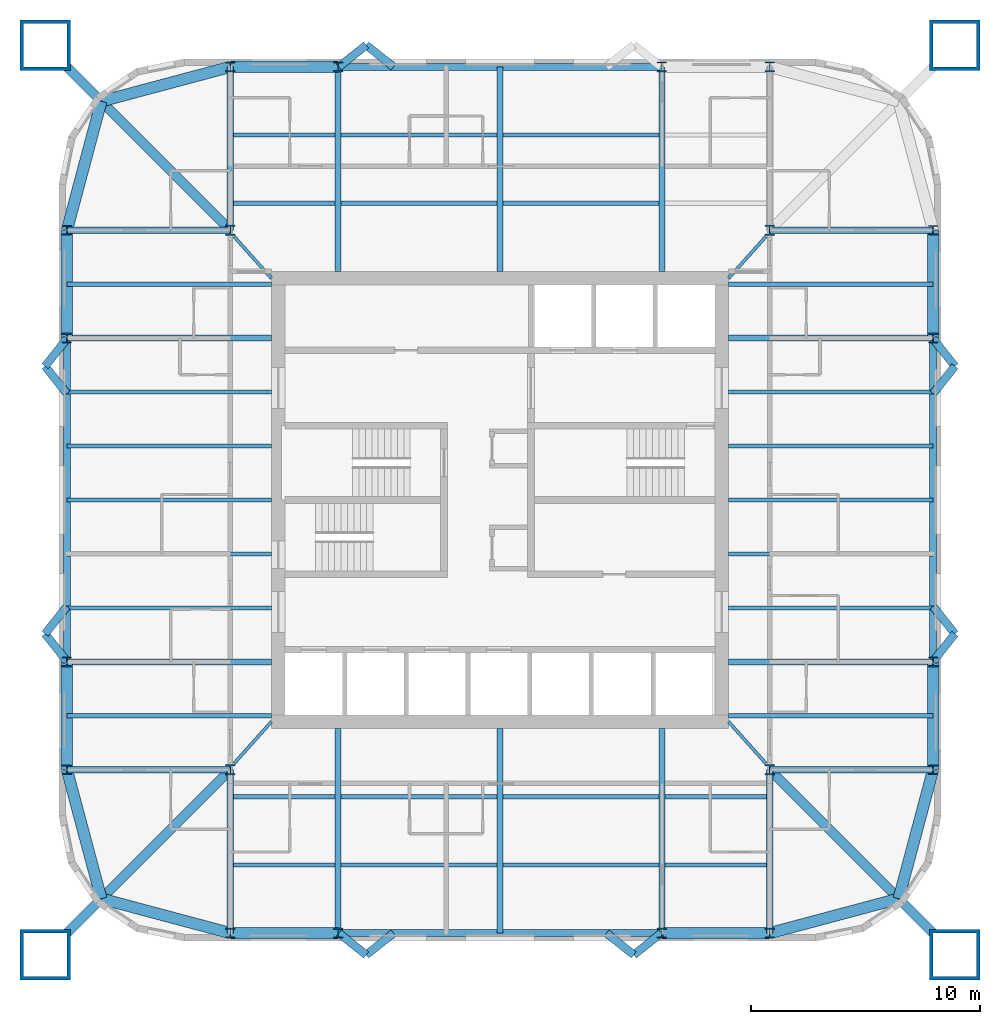
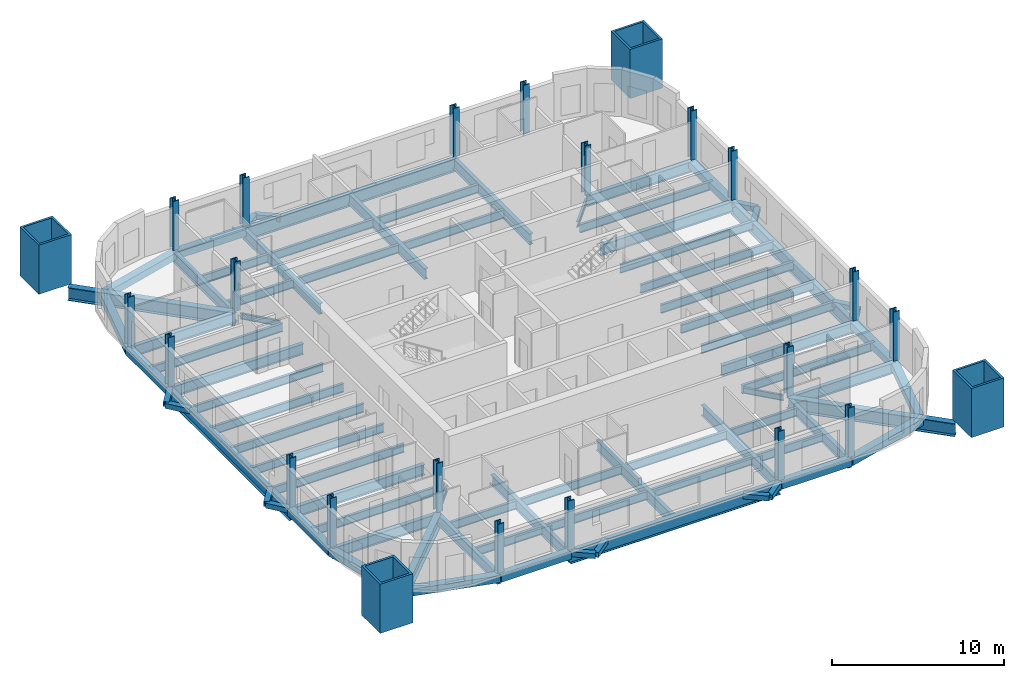
# One storey, part 1 of 9: 83 beams, 24 columns.
"""IFC4 building model written with IfcOpenShell, lengths in metres."""

from ifc_helpers import new_model, si_unit, direction, frame, origin, origin_2d, place, context, subcontext, project, spatial, hollow_rectangle, i_section, extrude, material, material_profile, profile_set, type_object, element, save


model = new_model("IFC4")

# Units and contexts
model_context = context("Model", 3, precision=1e-05, world=origin(), true_north=direction((0.0, 1.0)))
body_context = subcontext(model_context, "Body", "Model", "MODEL_VIEW")
ifc_project = project(units=[si_unit("LENGTHUNIT", "METRE"), si_unit("AREAUNIT", "SQUARE_METRE"), si_unit("VOLUMEUNIT", "CUBIC_METRE"), si_unit("PLANEANGLEUNIT", "RADIAN"), si_unit("MASSUNIT", "GRAM", prefix="KILO")], contexts=[model_context])

# Site, building, storey
site_placement = place(None, origin())
site = spatial("IfcSite", under=ifc_project, at=site_placement, CompositionType="ELEMENT")
building_placement = place(site_placement, origin())
building = spatial("IfcBuilding", under=site, at=building_placement, Name="Turquesa Mirador Hotel Tower", CompositionType="ELEMENT")
storey_placement = place(building_placement, frame((0.0, 0.0, 200.300048828125)))
storey = spatial("IfcBuildingStorey", under=building, at=storey_placement, Name="L54", CompositionType="ELEMENT", Elevation=200.300048828125)

# Columns
ifc_material_1 = material(Name="Steel ASTM A992 Grade 50", Category="steel")
ifc_material_profile_1 = material_profile(ifc_material_1, i_section(OverallWidth=0.411376953125, OverallDepth=0.434326171875, WebThickness=0.035888671875, FlangeThickness=0.057373046875, at=origin_2d()), Name="W14X311")
ifc_profile_set_1 = profile_set([ifc_material_profile_1], Name="Steel ASTM A992 Grade 50")
column_type_1 = type_object("IfcColumnType", Name="COLUMN W14X311", PredefinedType="COLUMN", material=ifc_profile_set_1)
for number, where, z_axis, x_axis, name in (
    (1, (36.050048828125, 33.199951171875, 0.0), (0.0, 0.0, 1.0), (1.0, 0.0, 0.0), "COL-L54-P--18.95--11.80"),
    (2, (36.050048828125, 37.919921875, 0.0), (0.0, 0.0, 1.0), (1.0, 0.0, 0.0), "COL-L54-P--18.95--7.08"),
    (3, (36.050048828125, 52.080078125, 0.0), (0.0, 0.0, 1.0), (1.0, 0.0, 0.0), "COL-L54-P--18.95-+7.08"),
    (4, (36.050048828125, 56.800048828125, 0.0), (0.0, 0.0, 1.0), (1.0, 0.0, 0.0), "COL-L54-P--18.95-+11.80"),
    (5, (43.199951171875, 26.050048828125, 0.0), (0.0, 0.0, 1.0), (1.0, 0.0, 0.0), "COL-L54-P--11.80--18.95"),
    (6, (43.199951171875, 63.949951171875, 0.0), (0.0, 0.0, 1.0), (1.0, 0.0, 0.0), "COL-L54-P--11.80-+18.95"),
    (7, (47.919921875, 26.050048828125, 0.0), (0.0, 0.0, 1.0), (1.0, 0.0, 0.0), "COL-L54-P--7.08--18.95"),
    (8, (47.919921875, 63.949951171875, 0.0), (0.0, 0.0, 1.0), (1.0, 0.0, 0.0), "COL-L54-P--7.08-+18.95"),
    (9, (62.080078125, 26.050048828125, 0.0), (0.0, 0.0, 1.0), (1.0, 0.0, 0.0), "COL-L54-P-+7.08--18.95"),
    (10, (62.080078125, 63.949951171875, 0.0), (0.0, 0.0, 1.0), (1.0, 0.0, 0.0), "COL-L54-P-+7.08-+18.95"),
    (11, (66.800048828125, 26.050048828125, 0.0), (0.0, 0.0, 1.0), (1.0, 0.0, 0.0), "COL-L54-P-+11.80--18.95"),
    (12, (66.800048828125, 63.949951171875, 0.0), (0.0, 0.0, 1.0), (1.0, 0.0, 0.0), "COL-L54-P-+11.80-+18.95"),
    (13, (73.949951171875, 33.199951171875, 0.0), (0.0, 0.0, 1.0), (1.0, 0.0, 0.0), "COL-L54-P-+18.95--11.80"),
    (14, (73.949951171875, 37.919921875, 0.0), (0.0, 0.0, 1.0), (1.0, 0.0, 0.0), "COL-L54-P-+18.95--7.08"),
    (15, (73.949951171875, 52.080078125, 0.0), (0.0, 0.0, 1.0), (1.0, 0.0, 0.0), "COL-L54-P-+18.95-+7.08"),
    (16, (73.949951171875, 56.800048828125, 0.0), (0.0, 0.0, 1.0), (1.0, 0.0, 0.0), "COL-L54-P-+18.95-+11.80"),
):
    element("IfcColumn", number, at=place(storey_placement, frame(where, z_axis=z_axis, x_axis=x_axis)), inside=storey, type_object=column_type_1, Name=name, PredefinedType="COLUMN", context=body_context, shape_type="SweptSolid", body=[
        extrude(i_section(OverallWidth=0.411376953125, OverallDepth=0.434326171875, WebThickness=0.035888671875, FlangeThickness=0.057373046875, at=origin_2d()), origin(), (0.0, 0.0, 1.0), 3.5),
    ])
ifc_material_2 = material(Name="Steel ASTM A992 Grade 50", Category="steel")
ifc_material_profile_2 = material_profile(ifc_material_2, i_section(OverallWidth=0.421630859375, OverallDepth=0.46484375, WebThickness=0.044921875, FlangeThickness=0.072509765625, at=origin_2d()), Name="W14X398")
ifc_profile_set_2 = profile_set([ifc_material_profile_2], Name="Steel ASTM A992 Grade 50")
column_type_2 = type_object("IfcColumnType", Name="COLUMN W14X398", PredefinedType="COLUMN", material=ifc_profile_set_2)
for number, where, z_axis, x_axis, name in (
    (17, (43.199951171875, 33.199951171875, 0.0), (0.0, 0.0, 1.0), (1.0, 0.0, 0.0), "COL-L54-K--11.80--11.80"),
    (18, (43.199951171875, 56.800048828125, 0.0), (0.0, 0.0, 1.0), (1.0, 0.0, 0.0), "COL-L54-K--11.80-+11.80"),
    (19, (66.800048828125, 33.199951171875, 0.0), (0.0, 0.0, 1.0), (1.0, 0.0, 0.0), "COL-L54-K-+11.80--11.80"),
    (20, (66.800048828125, 56.800048828125, 0.0), (0.0, 0.0, 1.0), (1.0, 0.0, 0.0), "COL-L54-K-+11.80-+11.80"),
):
    element("IfcColumn", number, at=place(storey_placement, frame(where, z_axis=z_axis, x_axis=x_axis)), inside=storey, type_object=column_type_2, Name=name, PredefinedType="COLUMN", context=body_context, shape_type="SweptSolid", body=[
        extrude(i_section(OverallWidth=0.421630859375, OverallDepth=0.46484375, WebThickness=0.044921875, FlangeThickness=0.072509765625, at=origin_2d()), origin(), (0.0, 0.0, 1.0), 3.5),
    ])
ifc_material_3 = material(Name="Steel ASTM A514 Grade Q", Category="steel")
ifc_material_profile_3 = material_profile(ifc_material_3, hollow_rectangle(XDim=2.199951171875, YDim=2.199951171875, WallThickness=0.14990234375, at=origin_2d()), Name="BOX2200X2200X150")
ifc_profile_set_3 = profile_set([ifc_material_profile_3], Name="Steel ASTM A514 Grade Q")
column_type_3 = type_object("IfcColumnType", Name="MEGA COLUMN BOX2200X2200X150", PredefinedType="COLUMN", material=ifc_profile_set_3)
for number, where, z_axis, x_axis, name in (
    (21, (74.89990234375, 64.89990234375, 0.0), (0.0, 0.0, 1.0), (1.0, 0.0, 0.0), "Mega column M1"),
    (22, (35.10009765625, 64.89990234375, 0.0), (0.0, 0.0, 1.0), (1.0, 0.0, 0.0), "Mega column M2"),
    (23, (35.10009765625, 25.10009765625, 0.0), (0.0, 0.0, 1.0), (1.0, 0.0, 0.0), "Mega column M3"),
    (24, (74.89990234375, 25.10009765625, 0.0), (0.0, 0.0, 1.0), (1.0, 0.0, 0.0), "Mega column M4"),
):
    element("IfcColumn", number, at=place(storey_placement, frame(where, z_axis=z_axis, x_axis=x_axis)), inside=storey, type_object=column_type_3, Name=name, PredefinedType="COLUMN", context=body_context, shape_type="SweptSolid", body=[
        extrude(hollow_rectangle(XDim=2.199951171875, YDim=2.199951171875, WallThickness=0.14990234375, at=origin_2d()), origin(), (0.0, 0.0, 1.0), 3.5),
    ])

# Beams
ifc_material_4 = material(Name="Steel ASTM A572 Grade 50", Category="steel")
ifc_material_profile_4 = material_profile(ifc_material_4, hollow_rectangle(XDim=0.5, YDim=0.5, WallThickness=0.01611328125, at=origin_2d()), Name="BOX500X500X16")
ifc_profile_set_4 = profile_set([ifc_material_profile_4], Name="Steel ASTM A572 Grade 50")
beam_type_1 = type_object("IfcBeamType", Name="BEAM BOX500X500X16", PredefinedType="BEAM", material=ifc_profile_set_4)
for number, where, z_axis, x_axis, name in (
    (25, (43.199951171875, 63.949951171875, -0.420166015625), (1.0, 0.0, 0.0), (0.0, 1.0, 0.0), "EB-L54-N-L"),
    (26, (43.199951171875, 26.050048828125, -0.420166015625), (1.0, 0.0, 0.0), (0.0, 1.0, 0.0), "EB-L54-S-L"),
    (27, (62.080078125, 26.050048828125, -0.420166015625), (1.0, 0.0, 0.0), (0.0, 1.0, 0.0), "EB-L54-S-R"),
    (28, (73.949951171875, 33.199951171875, -0.420166015625), (0.0, 1.0, 0.0), (-1.0, 0.0, 0.0), "EB-L54-E-L"),
    (29, (73.949951171875, 52.080078125, -0.420166015625), (0.0, 1.0, 0.0), (-1.0, 0.0, 0.0), "EB-L54-E-R"),
    (30, (36.050048828125, 33.199951171875, -0.420166015625), (0.0, 1.0, 0.0), (-1.0, 0.0, 0.0), "EB-L54-W-L"),
    (31, (36.050048828125, 52.080078125, -0.420166015625), (0.0, 1.0, 0.0), (-1.0, 0.0, 0.0), "EB-L54-W-R"),
):
    element("IfcBeam", number, at=place(storey_placement, frame(where, z_axis=z_axis, x_axis=x_axis)), inside=storey, type_object=beam_type_1, Name=name, PredefinedType="BEAM", context=body_context, shape_type="SweptSolid", body=[
        extrude(hollow_rectangle(XDim=0.5, YDim=0.5, WallThickness=0.01611328125, at=origin_2d()), origin(), (0.0, 0.0, 1.0), 4.719970703125),
    ])
for number, where, z_axis, x_axis, name in (
    (32, (36.050048828125, 56.800048828125, -0.420166015625), (0.258281892145, 0.966069595935, 0.0), (-0.966069595935, 0.258281892145, 0.0), "KE-L54-2-0"),
    (33, (37.558349609375, 62.441650390625, -0.420166015625), (0.966069595935, 0.258281892145, 0.0), (-0.258281892145, 0.966069595935, 0.0), "KE-L54-2-1"),
    (34, (36.050048828125, 33.199951171875, -0.420166015625), (0.258281892145, -0.966069595935, 0.0), (0.966069595935, 0.258281892145, 0.0), "KE-L54-3-0"),
    (35, (37.558349609375, 27.558349609375, -0.420166015625), (0.966069595935, -0.258281892145, 0.0), (0.258281892145, 0.966069595935, 0.0), "KE-L54-3-1"),
    (36, (73.949951171875, 33.199951171875, -0.420166015625), (-0.258281892145, -0.966069595935, 0.0), (0.966069595935, -0.258281892145, 0.0), "KE-L54-4-0"),
    (37, (72.441650390625, 27.558349609375, -0.420166015625), (-0.966069595935, -0.258281892145, 0.0), (0.258281892145, -0.966069595935, 0.0), "KE-L54-4-1"),
):
    element("IfcBeam", number, at=place(storey_placement, frame(where, z_axis=z_axis, x_axis=x_axis)), inside=storey, type_object=beam_type_1, Name=name, PredefinedType="BEAM", context=body_context, shape_type="SweptSolid", body=[
        extrude(hollow_rectangle(XDim=0.5, YDim=0.5, WallThickness=0.01611328125, at=origin_2d()), origin(), (0.0, 0.0, 1.0), 5.83984375),
    ])
ifc_material_5 = material(Name="Steel ASTM A992 Grade 50", Category="steel")
ifc_material_profile_5 = material_profile(ifc_material_5, i_section(OverallWidth=0.140380859375, OverallDepth=0.40380859375, WebThickness=0.007080078125, FlangeThickness=0.01123046875, at=origin_2d()), Name="W16X31")
ifc_profile_set_5 = profile_set([ifc_material_profile_5], Name="Steel ASTM A992 Grade 50")
beam_type_2 = type_object("IfcBeamType", Name="BEAM W16X31", PredefinedType="BEAM", material=ifc_profile_set_5)
for number, where, z_axis, x_axis, name in (
    (38, (66.634765625, 56.527099609375, -0.3720703125), (-0.666783216266, -0.745251730964, 0.0), (0.745251730964, -0.666783216266, 0.0), "KT-L54-1"),
    (39, (43.365234375, 56.527099609375, -0.3720703125), (0.666783216266, -0.745251730964, 0.0), (0.745251730964, 0.666783216266, 0.0), "KT-L54-2"),
    (40, (43.365234375, 33.472900390625, -0.3720703125), (0.666783216266, 0.745251730964, 0.0), (-0.745251730964, 0.666783216266, 0.0), "KT-L54-3"),
    (41, (66.634765625, 33.472900390625, -0.3720703125), (-0.666783216266, 0.745251730964, 0.0), (-0.745251730964, -0.666783216266, 0.0), "KT-L54-4"),
):
    element("IfcBeam", number, at=place(storey_placement, frame(where, z_axis=z_axis, x_axis=x_axis)), inside=storey, type_object=beam_type_2, Name=name, PredefinedType="BEAM", context=body_context, shape_type="SweptSolid", body=[
        extrude(i_section(OverallWidth=0.140380859375, OverallDepth=0.40380859375, WebThickness=0.007080078125, FlangeThickness=0.01123046875, at=origin_2d()), origin(), (0.0, 0.0, 1.0), 2.45166015625),
    ])
ifc_material_6 = material(Name="Steel ASTM A992 Grade 50", Category="steel")
ifc_material_profile_6 = material_profile(ifc_material_6, i_section(OverallWidth=0.177978515625, OverallDepth=0.599365234375, WebThickness=0.010009765625, FlangeThickness=0.012939453125, at=origin_2d()), Name="W24X55")
ifc_profile_set_6 = profile_set([ifc_material_profile_6], Name="Steel ASTM A992 Grade 50")
beam_type_3 = type_object("IfcBeamType", Name="BEAM W24X55", PredefinedType="BEAM", material=ifc_profile_set_6)
beam_1_placement = place(storey_placement, frame((43.333251953125, 57.98291015625, -0.4697265625), z_axis=(1.0, 0.0, 0.0), x_axis=(0.0, 1.0, 0.0)))
element("IfcBeam", 42, at=beam_1_placement, inside=storey, type_object=beam_type_3, Name="IB-L54-N-1-0", PredefinedType="BEAM", context=body_context, shape_type="SweptSolid", body=[
    extrude(i_section(OverallWidth=0.177978515625, OverallDepth=0.599365234375, WebThickness=0.010009765625, FlangeThickness=0.012939453125, at=origin_2d()), origin(), (0.0, 0.0, 1.0), 4.453369140625),
])
for number, where, z_axis, x_axis, name in (
    (43, (48.053466796875, 57.98291015625, -0.4697265625), (1.0, 0.0, 0.0), (0.0, 1.0, 0.0), "IB-L54-N-1-1"),
    (44, (55.13330078125, 57.98291015625, -0.4697265625), (1.0, 0.0, 0.0), (0.0, 1.0, 0.0), "IB-L54-N-1-2"),
):
    element("IfcBeam", number, at=place(storey_placement, frame(where, z_axis=z_axis, x_axis=x_axis)), inside=storey, type_object=beam_type_3, Name=name, PredefinedType="BEAM", context=body_context, shape_type="SweptSolid", body=[
        extrude(i_section(OverallWidth=0.177978515625, OverallDepth=0.599365234375, WebThickness=0.010009765625, FlangeThickness=0.012939453125, at=origin_2d()), origin(), (0.0, 0.0, 1.0), 6.813232421875),
    ])
beam_2_placement = place(storey_placement, frame((43.333251953125, 60.967041015625, -0.4697265625), z_axis=(1.0, 0.0, 0.0), x_axis=(0.0, 1.0, 0.0)))
element("IfcBeam", 45, at=beam_2_placement, inside=storey, type_object=beam_type_3, Name="IB-L54-N-2-0", PredefinedType="BEAM", context=body_context, shape_type="SweptSolid", body=[
    extrude(i_section(OverallWidth=0.177978515625, OverallDepth=0.599365234375, WebThickness=0.010009765625, FlangeThickness=0.012939453125, at=origin_2d()), origin(), (0.0, 0.0, 1.0), 4.453369140625),
])
for number, where, z_axis, x_axis, name in (
    (46, (48.053466796875, 60.967041015625, -0.4697265625), (1.0, 0.0, 0.0), (0.0, 1.0, 0.0), "IB-L54-N-2-1"),
    (47, (55.13330078125, 60.967041015625, -0.4697265625), (1.0, 0.0, 0.0), (0.0, 1.0, 0.0), "IB-L54-N-2-2"),
):
    element("IfcBeam", number, at=place(storey_placement, frame(where, z_axis=z_axis, x_axis=x_axis)), inside=storey, type_object=beam_type_3, Name=name, PredefinedType="BEAM", context=body_context, shape_type="SweptSolid", body=[
        extrude(i_section(OverallWidth=0.177978515625, OverallDepth=0.599365234375, WebThickness=0.010009765625, FlangeThickness=0.012939453125, at=origin_2d()), origin(), (0.0, 0.0, 1.0), 6.813232421875),
    ])
beam_3_placement = place(storey_placement, frame((43.333251953125, 32.01708984375, -0.4697265625), z_axis=(1.0, 0.0, 0.0), x_axis=(0.0, 1.0, 0.0)))
element("IfcBeam", 48, at=beam_3_placement, inside=storey, type_object=beam_type_3, Name="IB-L54-S-1-0", PredefinedType="BEAM", context=body_context, shape_type="SweptSolid", body=[
    extrude(i_section(OverallWidth=0.177978515625, OverallDepth=0.599365234375, WebThickness=0.010009765625, FlangeThickness=0.012939453125, at=origin_2d()), origin(), (0.0, 0.0, 1.0), 4.453369140625),
])
for number, where, z_axis, x_axis, name in (
    (49, (48.053466796875, 32.01708984375, -0.4697265625), (1.0, 0.0, 0.0), (0.0, 1.0, 0.0), "IB-L54-S-1-1"),
    (50, (55.13330078125, 32.01708984375, -0.4697265625), (1.0, 0.0, 0.0), (0.0, 1.0, 0.0), "IB-L54-S-1-2"),
):
    element("IfcBeam", number, at=place(storey_placement, frame(where, z_axis=z_axis, x_axis=x_axis)), inside=storey, type_object=beam_type_3, Name=name, PredefinedType="BEAM", context=body_context, shape_type="SweptSolid", body=[
        extrude(i_section(OverallWidth=0.177978515625, OverallDepth=0.599365234375, WebThickness=0.010009765625, FlangeThickness=0.012939453125, at=origin_2d()), origin(), (0.0, 0.0, 1.0), 6.813232421875),
    ])
for number, where, z_axis, x_axis, name in (
    (51, (62.21337890625, 32.01708984375, -0.4697265625), (1.0, 0.0, 0.0), (0.0, 1.0, 0.0), "IB-L54-S-1-3"),
    (52, (43.333251953125, 29.032958984375, -0.4697265625), (1.0, 0.0, 0.0), (0.0, 1.0, 0.0), "IB-L54-S-2-0"),
):
    element("IfcBeam", number, at=place(storey_placement, frame(where, z_axis=z_axis, x_axis=x_axis)), inside=storey, type_object=beam_type_3, Name=name, PredefinedType="BEAM", context=body_context, shape_type="SweptSolid", body=[
        extrude(i_section(OverallWidth=0.177978515625, OverallDepth=0.599365234375, WebThickness=0.010009765625, FlangeThickness=0.012939453125, at=origin_2d()), origin(), (0.0, 0.0, 1.0), 4.453369140625),
    ])
for number, where, z_axis, x_axis, name in (
    (53, (48.053466796875, 29.032958984375, -0.4697265625), (1.0, 0.0, 0.0), (0.0, 1.0, 0.0), "IB-L54-S-2-1"),
    (54, (55.13330078125, 29.032958984375, -0.4697265625), (1.0, 0.0, 0.0), (0.0, 1.0, 0.0), "IB-L54-S-2-2"),
):
    element("IfcBeam", number, at=place(storey_placement, frame(where, z_axis=z_axis, x_axis=x_axis)), inside=storey, type_object=beam_type_3, Name=name, PredefinedType="BEAM", context=body_context, shape_type="SweptSolid", body=[
        extrude(i_section(OverallWidth=0.177978515625, OverallDepth=0.599365234375, WebThickness=0.010009765625, FlangeThickness=0.012939453125, at=origin_2d()), origin(), (0.0, 0.0, 1.0), 6.813232421875),
    ])
beam_4_placement = place(storey_placement, frame((62.21337890625, 29.032958984375, -0.4697265625), z_axis=(1.0, 0.0, 0.0), x_axis=(0.0, 1.0, 0.0)))
element("IfcBeam", 55, at=beam_4_placement, inside=storey, type_object=beam_type_3, Name="IB-L54-S-2-3", PredefinedType="BEAM", context=body_context, shape_type="SweptSolid", body=[
    extrude(i_section(OverallWidth=0.177978515625, OverallDepth=0.599365234375, WebThickness=0.010009765625, FlangeThickness=0.012939453125, at=origin_2d()), origin(), (0.0, 0.0, 1.0), 4.453369140625),
])
for number, where, z_axis, x_axis, name in (
    (56, (73.949951171875, 35.56005859375, -0.4697265625), (-1.0, 0.0, 0.0), (0.0, -1.0, 0.0), "BM-L54-E--9.44"),
    (57, (73.949951171875, 40.280029296875, -0.4697265625), (-1.0, 0.0, 0.0), (0.0, -1.0, 0.0), "BM-L54-E--4.72"),
    (58, (73.949951171875, 42.639892578125, -0.4697265625), (-1.0, 0.0, 0.0), (0.0, -1.0, 0.0), "BM-L54-E--2.36"),
    (59, (73.949951171875, 45.0, -0.4697265625), (-1.0, 0.0, 0.0), (0.0, -1.0, 0.0), "BM-L54-E-+0.00"),
    (60, (73.949951171875, 47.360107421875, -0.4697265625), (-1.0, 0.0, 0.0), (0.0, -1.0, 0.0), "BM-L54-E-+2.36"),
    (61, (73.949951171875, 49.719970703125, -0.4697265625), (-1.0, 0.0, 0.0), (0.0, -1.0, 0.0), "BM-L54-E-+4.72"),
    (62, (73.949951171875, 54.43994140625, -0.4697265625), (-1.0, 0.0, 0.0), (0.0, -1.0, 0.0), "BM-L54-E-+9.44"),
    (63, (36.050048828125, 35.56005859375, -0.4697265625), (1.0, 0.0, 0.0), (0.0, 1.0, 0.0), "BM-L54-W--9.44"),
    (64, (36.050048828125, 40.280029296875, -0.4697265625), (1.0, 0.0, 0.0), (0.0, 1.0, 0.0), "BM-L54-W--4.72"),
    (65, (36.050048828125, 42.639892578125, -0.4697265625), (1.0, 0.0, 0.0), (0.0, 1.0, 0.0), "BM-L54-W--2.36"),
    (66, (36.050048828125, 45.0, -0.4697265625), (1.0, 0.0, 0.0), (0.0, 1.0, 0.0), "BM-L54-W-+0.00"),
    (67, (36.050048828125, 47.360107421875, -0.4697265625), (1.0, 0.0, 0.0), (0.0, 1.0, 0.0), "BM-L54-W-+2.36"),
    (68, (36.050048828125, 49.719970703125, -0.4697265625), (1.0, 0.0, 0.0), (0.0, 1.0, 0.0), "BM-L54-W-+4.72"),
    (69, (36.050048828125, 54.43994140625, -0.4697265625), (1.0, 0.0, 0.0), (0.0, 1.0, 0.0), "BM-L54-W-+9.44"),
):
    element("IfcBeam", number, at=place(storey_placement, frame(where, z_axis=z_axis, x_axis=x_axis)), inside=storey, type_object=beam_type_3, Name=name, PredefinedType="BEAM", context=body_context, shape_type="SweptSolid", body=[
        extrude(i_section(OverallWidth=0.177978515625, OverallDepth=0.599365234375, WebThickness=0.010009765625, FlangeThickness=0.012939453125, at=origin_2d()), origin(), (0.0, 0.0, 1.0), 8.949951171875),
    ])
ifc_material_7 = material(Name="Steel ASTM A992 Grade 50", Category="steel")
ifc_material_profile_7 = material_profile(ifc_material_7, i_section(OverallWidth=0.2666015625, OverallDepth=0.7568359375, WebThickness=0.013916015625, FlangeThickness=0.019287109375, at=origin_2d()), Name="W30X108")
ifc_profile_set_7 = profile_set([ifc_material_profile_7], Name="Steel ASTM A992 Grade 50")
beam_type_4 = type_object("IfcBeamType", Name="BEAM W30X108", PredefinedType="BEAM", material=ifc_profile_set_7)
for number, where, z_axis, x_axis, name in (
    (70, (47.919921875, 63.949951171875, -0.548583984375), (0.0, -1.0, 0.0), (1.0, 0.0, 0.0), "GD-L54-N--7.08"),
    (71, (62.080078125, 63.949951171875, -0.548583984375), (0.0, -1.0, 0.0), (1.0, 0.0, 0.0), "GD-L54-N-+7.08"),
    (72, (55.0, 63.949951171875, -0.548583984375), (0.0, -1.0, 0.0), (1.0, 0.0, 0.0), "GD-L54-N-+0.00"),
):
    element("IfcBeam", number, at=place(storey_placement, frame(where, z_axis=z_axis, x_axis=x_axis)), inside=storey, type_object=beam_type_4, Name=name, PredefinedType="BEAM", context=body_context, shape_type="SweptSolid", body=[
        extrude(i_section(OverallWidth=0.2666015625, OverallDepth=0.7568359375, WebThickness=0.013916015625, FlangeThickness=0.019287109375, at=origin_2d()), origin(), (0.0, 0.0, 1.0), 8.949951171875),
    ])
beam_5_placement = place(storey_placement, frame((43.199951171875, 63.949951171875, -0.548583984375), z_axis=(0.0, -1.0, 0.0), x_axis=(1.0, 0.0, 0.0)))
element("IfcBeam", 73, at=beam_5_placement, inside=storey, type_object=beam_type_4, Name="GK-L54-N--11.80", PredefinedType="BEAM", context=body_context, shape_type="SweptSolid", body=[
    extrude(i_section(OverallWidth=0.2666015625, OverallDepth=0.7568359375, WebThickness=0.013916015625, FlangeThickness=0.019287109375, at=origin_2d()), origin(), (0.0, 0.0, 1.0), 7.14990234375),
])
for number, where, z_axis, x_axis, name in (
    (74, (47.919921875, 26.050048828125, -0.548583984375), (0.0, 1.0, 0.0), (-1.0, 0.0, 0.0), "GD-L54-S--7.08"),
    (75, (62.080078125, 26.050048828125, -0.548583984375), (0.0, 1.0, 0.0), (-1.0, 0.0, 0.0), "GD-L54-S-+7.08"),
    (76, (55.0, 26.050048828125, -0.548583984375), (0.0, 1.0, 0.0), (-1.0, 0.0, 0.0), "GD-L54-S-+0.00"),
):
    element("IfcBeam", number, at=place(storey_placement, frame(where, z_axis=z_axis, x_axis=x_axis)), inside=storey, type_object=beam_type_4, Name=name, PredefinedType="BEAM", context=body_context, shape_type="SweptSolid", body=[
        extrude(i_section(OverallWidth=0.2666015625, OverallDepth=0.7568359375, WebThickness=0.013916015625, FlangeThickness=0.019287109375, at=origin_2d()), origin(), (0.0, 0.0, 1.0), 8.949951171875),
    ])
for number, where, z_axis, x_axis, name in (
    (77, (43.199951171875, 26.050048828125, -0.548583984375), (0.0, 1.0, 0.0), (-1.0, 0.0, 0.0), "GK-L54-S--11.80"),
    (78, (66.800048828125, 26.050048828125, -0.548583984375), (0.0, 1.0, 0.0), (-1.0, 0.0, 0.0), "GK-L54-S-+11.80"),
):
    element("IfcBeam", number, at=place(storey_placement, frame(where, z_axis=z_axis, x_axis=x_axis)), inside=storey, type_object=beam_type_4, Name=name, PredefinedType="BEAM", context=body_context, shape_type="SweptSolid", body=[
        extrude(i_section(OverallWidth=0.2666015625, OverallDepth=0.7568359375, WebThickness=0.013916015625, FlangeThickness=0.019287109375, at=origin_2d()), origin(), (0.0, 0.0, 1.0), 7.14990234375),
    ])
for number, where, z_axis, x_axis, name in (
    (79, (73.949951171875, 37.919921875, -0.548583984375), (-1.0, 0.0, 0.0), (0.0, -1.0, 0.0), "GD-L54-E--7.08"),
    (80, (73.949951171875, 52.080078125, -0.548583984375), (-1.0, 0.0, 0.0), (0.0, -1.0, 0.0), "GD-L54-E-+7.08"),
):
    element("IfcBeam", number, at=place(storey_placement, frame(where, z_axis=z_axis, x_axis=x_axis)), inside=storey, type_object=beam_type_4, Name=name, PredefinedType="BEAM", context=body_context, shape_type="SweptSolid", body=[
        extrude(i_section(OverallWidth=0.2666015625, OverallDepth=0.7568359375, WebThickness=0.013916015625, FlangeThickness=0.019287109375, at=origin_2d()), origin(), (0.0, 0.0, 1.0), 8.949951171875),
    ])
for number, where, z_axis, x_axis, name in (
    (81, (73.949951171875, 33.199951171875, -0.548583984375), (-1.0, 0.0, 0.0), (0.0, -1.0, 0.0), "GK-L54-E--11.80"),
    (82, (73.949951171875, 56.800048828125, -0.548583984375), (-1.0, 0.0, 0.0), (0.0, -1.0, 0.0), "GK-L54-E-+11.80"),
):
    element("IfcBeam", number, at=place(storey_placement, frame(where, z_axis=z_axis, x_axis=x_axis)), inside=storey, type_object=beam_type_4, Name=name, PredefinedType="BEAM", context=body_context, shape_type="SweptSolid", body=[
        extrude(i_section(OverallWidth=0.2666015625, OverallDepth=0.7568359375, WebThickness=0.013916015625, FlangeThickness=0.019287109375, at=origin_2d()), origin(), (0.0, 0.0, 1.0), 7.14990234375),
    ])
for number, where, z_axis, x_axis, name in (
    (83, (36.050048828125, 37.919921875, -0.548583984375), (1.0, 0.0, 0.0), (0.0, 1.0, 0.0), "GD-L54-W--7.08"),
    (84, (36.050048828125, 52.080078125, -0.548583984375), (1.0, 0.0, 0.0), (0.0, 1.0, 0.0), "GD-L54-W-+7.08"),
):
    element("IfcBeam", number, at=place(storey_placement, frame(where, z_axis=z_axis, x_axis=x_axis)), inside=storey, type_object=beam_type_4, Name=name, PredefinedType="BEAM", context=body_context, shape_type="SweptSolid", body=[
        extrude(i_section(OverallWidth=0.2666015625, OverallDepth=0.7568359375, WebThickness=0.013916015625, FlangeThickness=0.019287109375, at=origin_2d()), origin(), (0.0, 0.0, 1.0), 8.949951171875),
    ])
for number, where, z_axis, x_axis, name in (
    (85, (36.050048828125, 33.199951171875, -0.548583984375), (1.0, 0.0, 0.0), (0.0, 1.0, 0.0), "GK-L54-W--11.80"),
    (86, (36.050048828125, 56.800048828125, -0.548583984375), (1.0, 0.0, 0.0), (0.0, 1.0, 0.0), "GK-L54-W-+11.80"),
):
    element("IfcBeam", number, at=place(storey_placement, frame(where, z_axis=z_axis, x_axis=x_axis)), inside=storey, type_object=beam_type_4, Name=name, PredefinedType="BEAM", context=body_context, shape_type="SweptSolid", body=[
        extrude(i_section(OverallWidth=0.2666015625, OverallDepth=0.7568359375, WebThickness=0.013916015625, FlangeThickness=0.019287109375, at=origin_2d()), origin(), (0.0, 0.0, 1.0), 7.14990234375),
    ])
ifc_material_8 = material(Name="Steel ASTM A992 Grade 50", Category="steel")
ifc_material_profile_8 = material_profile(ifc_material_8, i_section(OverallWidth=0.3046875, OverallDepth=0.911865234375, WebThickness=0.015869140625, FlangeThickness=0.02392578125, at=origin_2d()), Name="W36X150")
ifc_profile_set_8 = profile_set([ifc_material_profile_8], Name="Steel ASTM A992 Grade 50")
beam_type_5 = type_object("IfcBeamType", Name="BEAM W36X150", PredefinedType="BEAM", material=ifc_profile_set_8)
for number, where, z_axis, x_axis, name in (
    (87, (47.919921875, 63.949951171875, -0.6259765625), (1.0, 0.0, 0.0), (0.0, 1.0, 0.0), "EB-L54-N-C"),
    (88, (47.919921875, 26.050048828125, -0.6259765625), (1.0, 0.0, 0.0), (0.0, 1.0, 0.0), "EB-L54-S-C"),
    (89, (73.949951171875, 37.919921875, -0.6259765625), (0.0, 1.0, 0.0), (-1.0, 0.0, 0.0), "EB-L54-E-C"),
    (90, (36.050048828125, 37.919921875, -0.6259765625), (0.0, 1.0, 0.0), (-1.0, 0.0, 0.0), "EB-L54-W-C"),
):
    element("IfcBeam", number, at=place(storey_placement, frame(where, z_axis=z_axis, x_axis=x_axis)), inside=storey, type_object=beam_type_5, Name=name, PredefinedType="BEAM", context=body_context, shape_type="SweptSolid", body=[
        extrude(i_section(OverallWidth=0.3046875, OverallDepth=0.911865234375, WebThickness=0.015869140625, FlangeThickness=0.02392578125, at=origin_2d()), origin(), (0.0, 0.0, 1.0), 14.16015625),
    ])
ifc_material_9 = material(Name="Steel ASTM A992 Grade 50", Category="steel")
ifc_material_profile_9 = material_profile(ifc_material_9, i_section(OverallWidth=0.419189453125, OverallDepth=0.927001953125, WebThickness=0.019287109375, FlangeThickness=0.031982421875, at=origin_2d()), Name="W36X231")
ifc_profile_set_9 = profile_set([ifc_material_profile_9], Name="Steel ASTM A992 Grade 50")
beam_type_6 = type_object("IfcBeamType", Name="BEAM W36X231", PredefinedType="BEAM", material=ifc_profile_set_9)
for number, where, z_axis, x_axis, name in (
    (91, (43.199951171875, 56.800048828125, -0.633544921875), (-0.707106781187, 0.707106781187, 0.0), (-0.707106781187, -0.707106781187, 0.0), "KD-L54-2"),
    (92, (43.199951171875, 33.199951171875, -0.633544921875), (-0.707106781187, -0.707106781187, 0.0), (0.707106781187, -0.707106781187, 0.0), "KD-L54-3"),
    (93, (66.800048828125, 33.199951171875, -0.633544921875), (0.707106781187, -0.707106781187, 0.0), (0.707106781187, 0.707106781187, 0.0), "KD-L54-4"),
):
    element("IfcBeam", number, at=place(storey_placement, frame(where, z_axis=z_axis, x_axis=x_axis)), inside=storey, type_object=beam_type_6, Name=name, PredefinedType="BEAM", context=body_context, shape_type="SweptSolid", body=[
        extrude(i_section(OverallWidth=0.419189453125, OverallDepth=0.927001953125, WebThickness=0.019287109375, FlangeThickness=0.031982421875, at=origin_2d()), origin(), (0.0, 0.0, 1.0), 10.080322265625),
    ])
ifc_material_10 = material(Name="Steel ASTM A500 Grade C", Category="steel")
ifc_material_profile_10 = material_profile(ifc_material_10, hollow_rectangle(XDim=0.355712890625, YDim=0.355712890625, WallThickness=0.0146484375, at=origin_2d()), Name="HSS14X14X5/8")
ifc_profile_set_10 = profile_set([ifc_material_profile_10], Name="Steel ASTM A500 Grade C")
beam_type_7 = type_object("IfcBeamType", Name="BRACE STRUT HSS14X14X5/8", PredefinedType="BEAM", material=ifc_profile_set_10)
beam_6_placement = place(storey_placement, frame((49.14697265625, 64.89990234375, -0.347900390625), z_axis=(-0.784049059149, -0.620698858423, 0.0), x_axis=(0.620698858423, -0.784049059149, 0.0)))
element("IfcBeam", 94, at=beam_6_placement, inside=storey, type_object=beam_type_7, Name="Brace strut", PredefinedType="BEAM", context=body_context, shape_type="SweptSolid", body=[
    extrude(hollow_rectangle(XDim=0.355712890625, YDim=0.355712890625, WallThickness=0.0146484375, at=origin_2d()), origin(), (0.0, 0.0, 1.0), 1.530517578125),
])
for number, where, z_axis, x_axis, name in (
    (95, (49.14697265625, 64.89990234375, -0.347900390625), (0.784110506071, -0.620621232531, 0.0), (0.620621232531, 0.784110506071, 0.0), "Brace strut"),
    (96, (60.85302734375, 25.10009765625, -0.347900390625), (-0.784110506071, 0.620621232531, 0.0), (-0.620621232531, -0.784110506071, 0.0), "Brace strut"),
):
    element("IfcBeam", number, at=place(storey_placement, frame(where, z_axis=z_axis, x_axis=x_axis)), inside=storey, type_object=beam_type_7, Name=name, PredefinedType="BEAM", context=body_context, shape_type="SweptSolid", body=[
        extrude(hollow_rectangle(XDim=0.355712890625, YDim=0.355712890625, WallThickness=0.0146484375, at=origin_2d()), origin(), (0.0, 0.0, 1.0), 1.53076171875),
    ])
for number, where, z_axis, x_axis, name in (
    (97, (60.85302734375, 25.10009765625, -0.347900390625), (0.784049059149, 0.620698858423, 0.0), (-0.620698858423, 0.784049059149, 0.0), "Brace strut"),
    (98, (49.14697265625, 25.10009765625, -0.347900390625), (-0.784049059149, 0.620698858423, 0.0), (-0.620698858423, -0.784049059149, 0.0), "Brace strut"),
):
    element("IfcBeam", number, at=place(storey_placement, frame(where, z_axis=z_axis, x_axis=x_axis)), inside=storey, type_object=beam_type_7, Name=name, PredefinedType="BEAM", context=body_context, shape_type="SweptSolid", body=[
        extrude(hollow_rectangle(XDim=0.355712890625, YDim=0.355712890625, WallThickness=0.0146484375, at=origin_2d()), origin(), (0.0, 0.0, 1.0), 1.530517578125),
    ])
for number, where, z_axis, x_axis, name in (
    (99, (49.14697265625, 25.10009765625, -0.347900390625), (0.784110506071, 0.620621232531, 0.0), (-0.620621232531, 0.784110506071, 0.0), "Brace strut"),
    (100, (74.89990234375, 50.85302734375, -0.347900390625), (-0.620621232531, -0.784110506071, 0.0), (0.784110506071, -0.620621232531, 0.0), "Brace strut"),
):
    element("IfcBeam", number, at=place(storey_placement, frame(where, z_axis=z_axis, x_axis=x_axis)), inside=storey, type_object=beam_type_7, Name=name, PredefinedType="BEAM", context=body_context, shape_type="SweptSolid", body=[
        extrude(hollow_rectangle(XDim=0.355712890625, YDim=0.355712890625, WallThickness=0.0146484375, at=origin_2d()), origin(), (0.0, 0.0, 1.0), 1.53076171875),
    ])
for number, where, z_axis, x_axis, name in (
    (101, (74.89990234375, 50.85302734375, -0.347900390625), (-0.620698858423, 0.784049059149, 0.0), (-0.784049059149, -0.620698858423, 0.0), "Brace strut"),
    (102, (74.89990234375, 39.14697265625, -0.347900390625), (-0.620698858423, -0.784049059149, 0.0), (0.784049059149, -0.620698858423, 0.0), "Brace strut"),
):
    element("IfcBeam", number, at=place(storey_placement, frame(where, z_axis=z_axis, x_axis=x_axis)), inside=storey, type_object=beam_type_7, Name=name, PredefinedType="BEAM", context=body_context, shape_type="SweptSolid", body=[
        extrude(hollow_rectangle(XDim=0.355712890625, YDim=0.355712890625, WallThickness=0.0146484375, at=origin_2d()), origin(), (0.0, 0.0, 1.0), 1.530517578125),
    ])
for number, where, z_axis, x_axis, name in (
    (103, (74.89990234375, 39.14697265625, -0.347900390625), (-0.620621232531, 0.784110506071, 0.0), (-0.784110506071, -0.620621232531, 0.0), "Brace strut"),
    (104, (35.10009765625, 50.85302734375, -0.347900390625), (0.620621232531, -0.784110506071, 0.0), (0.784110506071, 0.620621232531, 0.0), "Brace strut"),
):
    element("IfcBeam", number, at=place(storey_placement, frame(where, z_axis=z_axis, x_axis=x_axis)), inside=storey, type_object=beam_type_7, Name=name, PredefinedType="BEAM", context=body_context, shape_type="SweptSolid", body=[
        extrude(hollow_rectangle(XDim=0.355712890625, YDim=0.355712890625, WallThickness=0.0146484375, at=origin_2d()), origin(), (0.0, 0.0, 1.0), 1.53076171875),
    ])
for number, where, z_axis, x_axis, name in (
    (105, (35.10009765625, 50.85302734375, -0.347900390625), (0.620698858423, 0.784049059149, 0.0), (-0.784049059149, 0.620698858423, 0.0), "Brace strut"),
    (106, (35.10009765625, 39.14697265625, -0.347900390625), (0.620698858423, -0.784049059149, 0.0), (0.784049059149, 0.620698858423, 0.0), "Brace strut"),
):
    element("IfcBeam", number, at=place(storey_placement, frame(where, z_axis=z_axis, x_axis=x_axis)), inside=storey, type_object=beam_type_7, Name=name, PredefinedType="BEAM", context=body_context, shape_type="SweptSolid", body=[
        extrude(hollow_rectangle(XDim=0.355712890625, YDim=0.355712890625, WallThickness=0.0146484375, at=origin_2d()), origin(), (0.0, 0.0, 1.0), 1.530517578125),
    ])
beam_7_placement = place(storey_placement, frame((35.10009765625, 39.14697265625, -0.347900390625), z_axis=(0.620621232531, 0.784110506071, 0.0), x_axis=(-0.784110506071, 0.620621232531, 0.0)))
element("IfcBeam", 107, at=beam_7_placement, inside=storey, type_object=beam_type_7, Name="Brace strut", PredefinedType="BEAM", context=body_context, shape_type="SweptSolid", body=[
    extrude(hollow_rectangle(XDim=0.355712890625, YDim=0.355712890625, WallThickness=0.0146484375, at=origin_2d()), origin(), (0.0, 0.0, 1.0), 1.53076171875),
])

save(model, "model.ifc")
